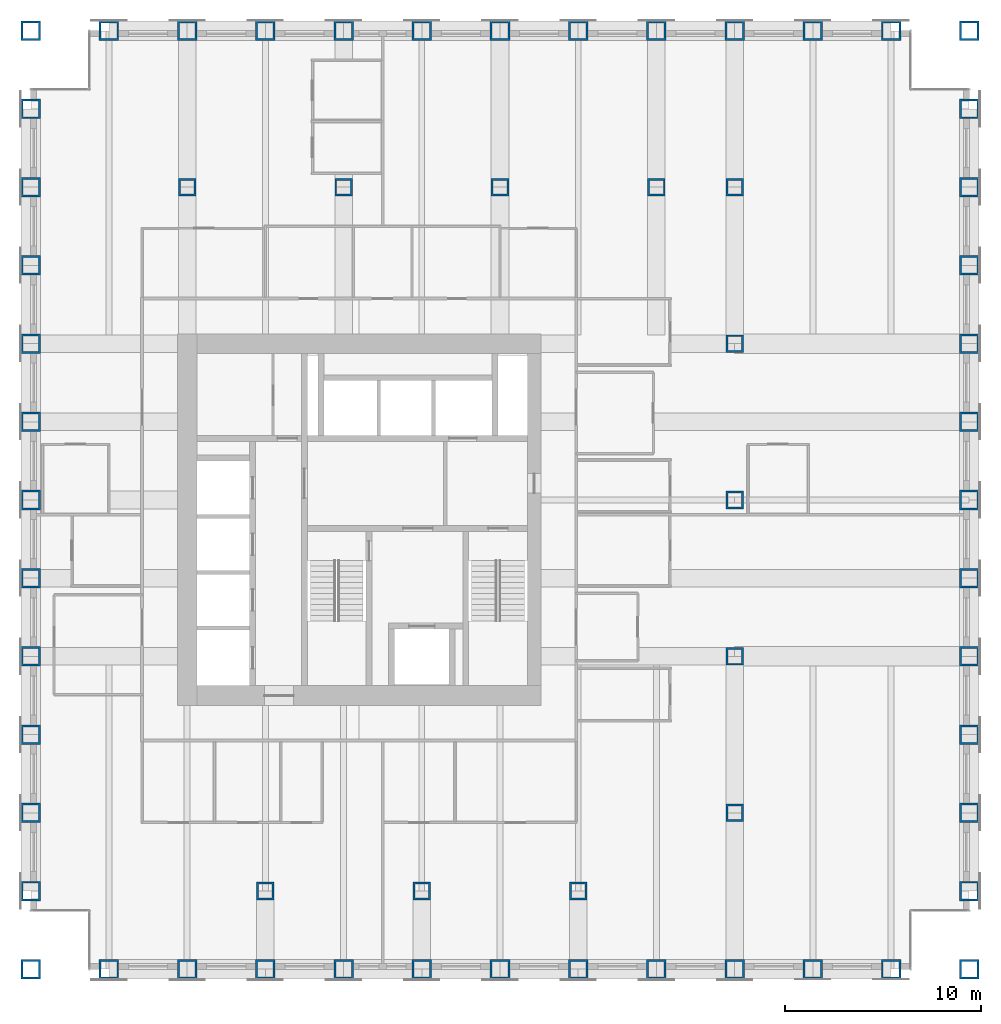
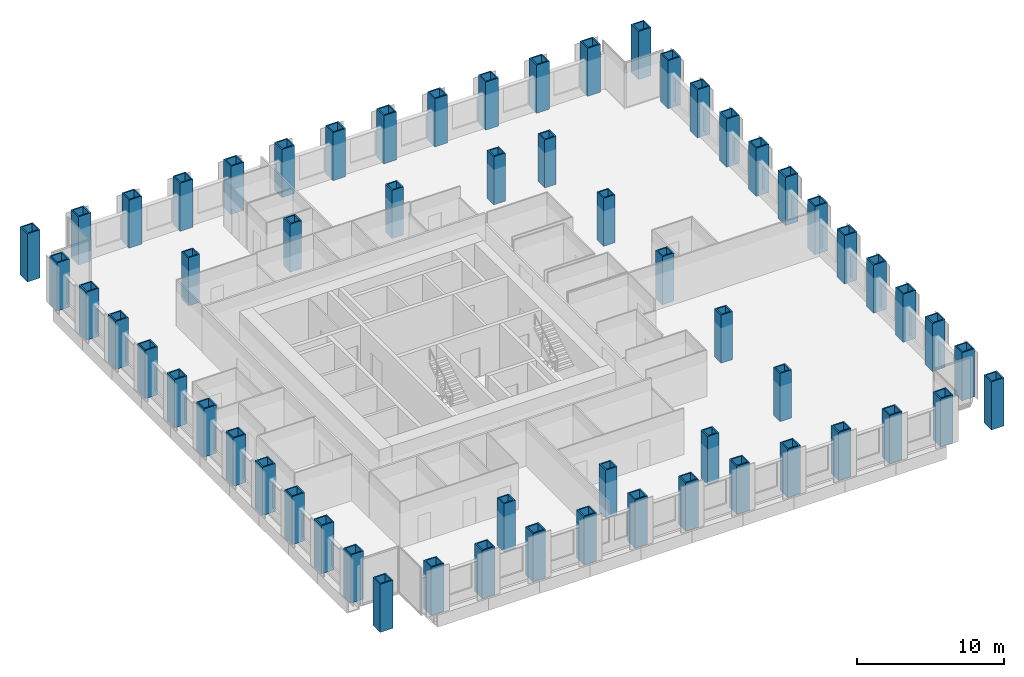
# One storey, part 1 of 16: 60 columns.
"""IFC4 building model written with IfcOpenShell, lengths in metres."""

from ifc_helpers import new_model, si_unit, direction, frame, origin, origin_2d, place, context, subcontext, project, spatial, hollow_rectangle, extrude, material, material_profile, profile_set, type_object, element, save


model = new_model("IFC4")

# Units and contexts
model_context = context("Model", 3, precision=1e-05, world=origin(), true_north=direction((0.0, 1.0)))
body_context = subcontext(model_context, "Body", "Model", "MODEL_VIEW")
ifc_project = project(units=[si_unit("LENGTHUNIT", "METRE"), si_unit("AREAUNIT", "SQUARE_METRE"), si_unit("VOLUMEUNIT", "CUBIC_METRE"), si_unit("PLANEANGLEUNIT", "RADIAN"), si_unit("MASSUNIT", "GRAM", prefix="KILO")], contexts=[model_context])

# Site, building, storey
site_placement = place(None, origin())
site = spatial("IfcSite", under=ifc_project, at=site_placement, CompositionType="ELEMENT")
building_placement = place(site_placement, origin())
building = spatial("IfcBuilding", under=site, at=building_placement, Name="Rimbunsela Tower", CompositionType="ELEMENT")
storey_placement = place(building_placement, frame((0.0, 0.0, 121.39990234375)))
storey = spatial("IfcBuildingStorey", under=building, at=storey_placement, Name="L29", CompositionType="ELEMENT", Elevation=121.39990234375)

# Columns
ifc_material_1 = material(Name="Steel BJ 55 (fy 410 MPa)", Category="steel")
ifc_material_profile_1 = material_profile(ifc_material_1, hollow_rectangle(XDim=1.0, YDim=1.0, WallThickness=0.10009765625, at=origin_2d()), Name="BOX 1000x1000x100")
ifc_profile_set_1 = profile_set([ifc_material_profile_1], Name="Steel BJ 55 (fy 410 MPa)")
column_type_1 = type_object("IfcColumnType", Name="Column BOX 1000x1000x100", PredefinedType="COLUMN", material=ifc_profile_set_1)
for number, where, z_axis, x_axis, name in (
    (1, (10.0, 4.0, 0.0), (0.0, 0.0, 1.0), (1.0, 0.0, 0.0), "Column C1 5/C L29"),
    (2, (10.0, 8.0, 0.0), (0.0, 0.0, 1.0), (1.0, 0.0, 0.0), "Column C1 5/D L29"),
    (3, (10.0, 12.0, 0.0), (0.0, 0.0, 1.0), (1.0, 0.0, 0.0), "Column C1 5/E L29"),
    (4, (10.0, 16.0, 0.0), (0.0, 0.0, 1.0), (1.0, 0.0, 0.0), "Column C1 5/F L29"),
    (5, (10.0, 20.0, 0.0), (0.0, 0.0, 1.0), (1.0, 0.0, 0.0), "Column C1 5/G L29"),
    (6, (10.0, 24.0, 0.0), (0.0, 0.0, 1.0), (1.0, 0.0, 0.0), "Column C1 5/H L29"),
    (7, (10.0, 28.0, 0.0), (0.0, 0.0, 1.0), (1.0, 0.0, 0.0), "Column C1 5/J L29"),
    (8, (10.0, 32.0, 0.0), (0.0, 0.0, 1.0), (1.0, 0.0, 0.0), "Column C1 5/K L29"),
    (9, (10.0, 36.0, 0.0), (0.0, 0.0, 1.0), (1.0, 0.0, 0.0), "Column C1 5/L L29"),
    (10, (10.0, 40.0, 0.0), (0.0, 0.0, 1.0), (1.0, 0.0, 0.0), "Column C1 5/M L29"),
    (11, (10.0, 44.0, 0.0), (0.0, 0.0, 1.0), (1.0, 0.0, 0.0), "Column C1 5/N L29"),
    (12, (10.0, 48.0, 0.0), (0.0, 0.0, 1.0), (1.0, 0.0, 0.0), "Column C1 5/P L29"),
    (13, (10.0, 52.0, 0.0), (0.0, 0.0, 1.0), (1.0, 0.0, 0.0), "Column C1 5/Q L29"),
    (14, (14.0, 4.0, 0.0), (0.0, 0.0, 1.0), (1.0, 0.0, 0.0), "Column C1 6/C L29"),
    (15, (14.0, 52.0, 0.0), (0.0, 0.0, 1.0), (1.0, 0.0, 0.0), "Column C1 6/Q L29"),
    (16, (18.0, 4.0, 0.0), (0.0, 0.0, 1.0), (1.0, 0.0, 0.0), "Column C1 7/C L29"),
    (17, (18.0, 52.0, 0.0), (0.0, 0.0, 1.0), (1.0, 0.0, 0.0), "Column C1 7/Q L29"),
    (18, (22.0, 4.0, 0.0), (0.0, 0.0, 1.0), (1.0, 0.0, 0.0), "Column C1 8/C L29"),
    (19, (22.0, 52.0, 0.0), (0.0, 0.0, 1.0), (1.0, 0.0, 0.0), "Column C1 8/Q L29"),
    (20, (26.0, 4.0, 0.0), (0.0, 0.0, 1.0), (1.0, 0.0, 0.0), "Column C1 9/C L29"),
    (21, (26.0, 52.0, 0.0), (0.0, 0.0, 1.0), (1.0, 0.0, 0.0), "Column C1 9/Q L29"),
    (22, (30.0, 4.0, 0.0), (0.0, 0.0, 1.0), (1.0, 0.0, 0.0), "Column C1 10/C L29"),
    (23, (30.0, 52.0, 0.0), (0.0, 0.0, 1.0), (1.0, 0.0, 0.0), "Column C1 10/Q L29"),
    (24, (34.0, 4.0, 0.0), (0.0, 0.0, 1.0), (1.0, 0.0, 0.0), "Column C1 11/C L29"),
    (25, (34.0, 52.0, 0.0), (0.0, 0.0, 1.0), (1.0, 0.0, 0.0), "Column C1 11/Q L29"),
    (26, (38.0, 4.0, 0.0), (0.0, 0.0, 1.0), (1.0, 0.0, 0.0), "Column C1 12/C L29"),
    (27, (38.0, 52.0, 0.0), (0.0, 0.0, 1.0), (1.0, 0.0, 0.0), "Column C1 12/Q L29"),
    (28, (42.0, 4.0, 0.0), (0.0, 0.0, 1.0), (1.0, 0.0, 0.0), "Column C1 13/C L29"),
    (29, (42.0, 52.0, 0.0), (0.0, 0.0, 1.0), (1.0, 0.0, 0.0), "Column C1 13/Q L29"),
    (30, (46.0, 4.0, 0.0), (0.0, 0.0, 1.0), (1.0, 0.0, 0.0), "Column C1 14/C L29"),
    (31, (46.0, 52.0, 0.0), (0.0, 0.0, 1.0), (1.0, 0.0, 0.0), "Column C1 14/Q L29"),
    (32, (50.0, 4.0, 0.0), (0.0, 0.0, 1.0), (1.0, 0.0, 0.0), "Column C1 15/C L29"),
    (33, (50.0, 52.0, 0.0), (0.0, 0.0, 1.0), (1.0, 0.0, 0.0), "Column C1 15/Q L29"),
    (34, (54.0, 4.0, 0.0), (0.0, 0.0, 1.0), (1.0, 0.0, 0.0), "Column C1 16/C L29"),
    (35, (54.0, 52.0, 0.0), (0.0, 0.0, 1.0), (1.0, 0.0, 0.0), "Column C1 16/Q L29"),
    (36, (58.0, 4.0, 0.0), (0.0, 0.0, 1.0), (1.0, 0.0, 0.0), "Column C1 17/C L29"),
    (37, (58.0, 8.0, 0.0), (0.0, 0.0, 1.0), (1.0, 0.0, 0.0), "Column C1 17/D L29"),
    (38, (58.0, 12.0, 0.0), (0.0, 0.0, 1.0), (1.0, 0.0, 0.0), "Column C1 17/E L29"),
    (39, (58.0, 16.0, 0.0), (0.0, 0.0, 1.0), (1.0, 0.0, 0.0), "Column C1 17/F L29"),
    (40, (58.0, 20.0, 0.0), (0.0, 0.0, 1.0), (1.0, 0.0, 0.0), "Column C1 17/G L29"),
    (41, (58.0, 24.0, 0.0), (0.0, 0.0, 1.0), (1.0, 0.0, 0.0), "Column C1 17/H L29"),
    (42, (58.0, 28.0, 0.0), (0.0, 0.0, 1.0), (1.0, 0.0, 0.0), "Column C1 17/J L29"),
    (43, (58.0, 32.0, 0.0), (0.0, 0.0, 1.0), (1.0, 0.0, 0.0), "Column C1 17/K L29"),
    (44, (58.0, 36.0, 0.0), (0.0, 0.0, 1.0), (1.0, 0.0, 0.0), "Column C1 17/L L29"),
    (45, (58.0, 40.0, 0.0), (0.0, 0.0, 1.0), (1.0, 0.0, 0.0), "Column C1 17/M L29"),
    (46, (58.0, 44.0, 0.0), (0.0, 0.0, 1.0), (1.0, 0.0, 0.0), "Column C1 17/N L29"),
    (47, (58.0, 48.0, 0.0), (0.0, 0.0, 1.0), (1.0, 0.0, 0.0), "Column C1 17/P L29"),
    (48, (58.0, 52.0, 0.0), (0.0, 0.0, 1.0), (1.0, 0.0, 0.0), "Column C1 17/Q L29"),
):
    element("IfcColumn", number, at=place(storey_placement, frame(where, z_axis=z_axis, x_axis=x_axis)), inside=storey, type_object=column_type_1, Name=name, PredefinedType="COLUMN", context=body_context, shape_type="SweptSolid", body=[
        extrude(hollow_rectangle(XDim=1.0, YDim=1.0, WallThickness=0.10009765625, at=origin_2d()), origin(), (0.0, 0.0, 1.0), 4.0),
    ])
ifc_material_2 = material(Name="Steel BJ 55 (fy 410 MPa)", Category="steel")
ifc_material_profile_2 = material_profile(ifc_material_2, hollow_rectangle(XDim=0.89990234375, YDim=0.89990234375, WallThickness=0.10009765625, at=origin_2d()), Name="BOX 900x900x100")
ifc_profile_set_2 = profile_set([ifc_material_profile_2], Name="Steel BJ 55 (fy 410 MPa)")
column_type_2 = type_object("IfcColumnType", Name="Column BOX 900x900x100", PredefinedType="COLUMN", material=ifc_profile_set_2)
for number, where, z_axis, x_axis, name in (
    (49, (18.0, 44.0, 0.0), (0.0, 0.0, 1.0), (1.0, 0.0, 0.0), "Column C5 7/N L29"),
    (50, (22.0, 8.0, 0.0), (0.0, 0.0, 1.0), (1.0, 0.0, 0.0), "Column C5 8/D L29"),
    (51, (26.0, 44.0, 0.0), (0.0, 0.0, 1.0), (1.0, 0.0, 0.0), "Column C5 9/N L29"),
    (52, (30.0, 8.0, 0.0), (0.0, 0.0, 1.0), (1.0, 0.0, 0.0), "Column C5 10/D L29"),
    (53, (34.0, 44.0, 0.0), (0.0, 0.0, 1.0), (1.0, 0.0, 0.0), "Column C5 11/N L29"),
    (54, (38.0, 8.0, 0.0), (0.0, 0.0, 1.0), (1.0, 0.0, 0.0), "Column C5 12/D L29"),
    (55, (42.0, 44.0, 0.0), (0.0, 0.0, 1.0), (1.0, 0.0, 0.0), "Column C5 13/N L29"),
    (56, (46.0, 12.0, 0.0), (0.0, 0.0, 1.0), (1.0, 0.0, 0.0), "Column C5 14/E L29"),
    (57, (46.0, 20.0, 0.0), (0.0, 0.0, 1.0), (1.0, 0.0, 0.0), "Column C5 14/G L29"),
    (58, (46.0, 28.0, 0.0), (0.0, 0.0, 1.0), (1.0, 0.0, 0.0), "Column C5 14/J L29"),
    (59, (46.0, 36.0, 0.0), (0.0, 0.0, 1.0), (1.0, 0.0, 0.0), "Column C5 14/L L29"),
    (60, (46.0, 44.0, 0.0), (0.0, 0.0, 1.0), (1.0, 0.0, 0.0), "Column C5 14/N L29"),
):
    element("IfcColumn", number, at=place(storey_placement, frame(where, z_axis=z_axis, x_axis=x_axis)), inside=storey, type_object=column_type_2, Name=name, PredefinedType="COLUMN", context=body_context, shape_type="SweptSolid", body=[
        extrude(hollow_rectangle(XDim=0.89990234375, YDim=0.89990234375, WallThickness=0.10009765625, at=origin_2d()), origin(), (0.0, 0.0, 1.0), 4.0),
    ])

save(model, "model.ifc")
